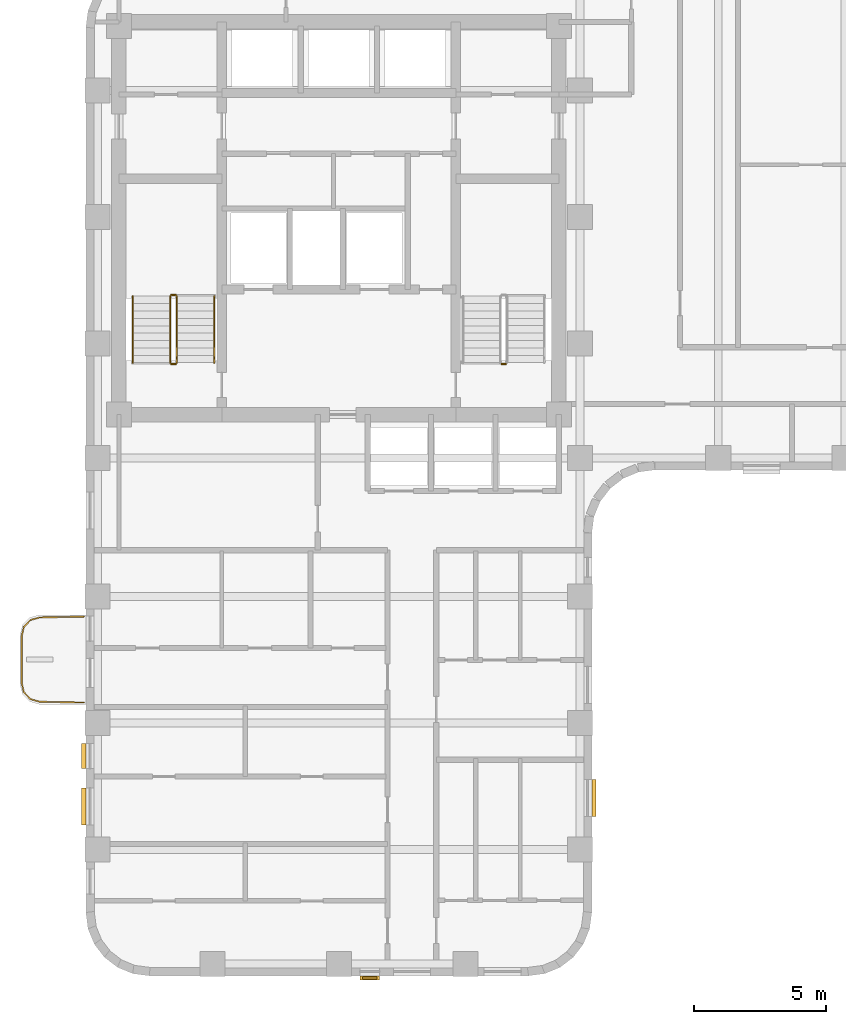
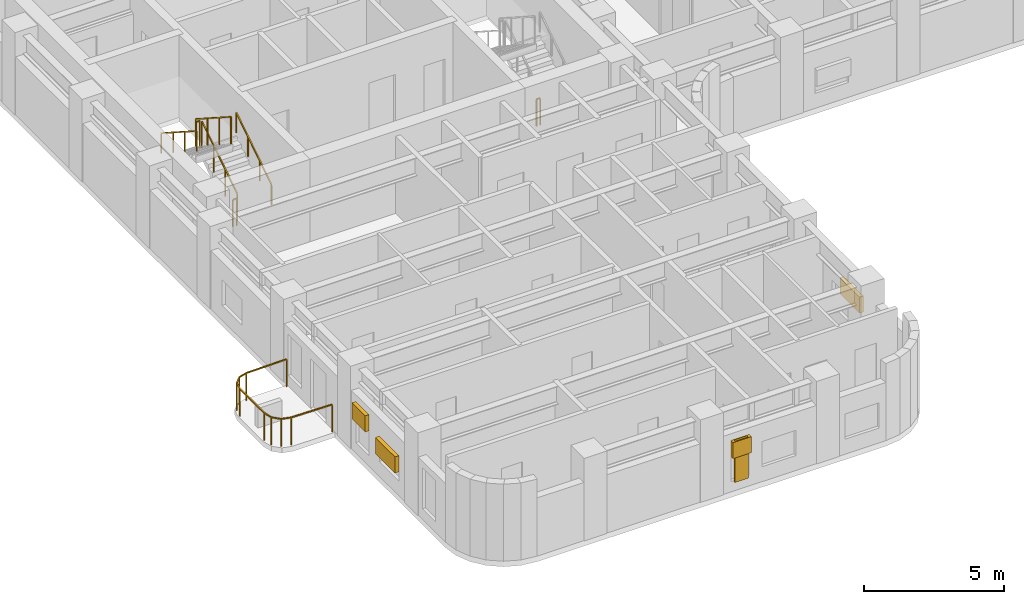
# One storey, part 8 of 10: 8 railings, 5 shading devices.
"""IFC4 building model written with IfcOpenShell, lengths in metres."""

from ifc_helpers import new_model, si_unit, direction, frame, origin, origin_2d, place, context, subcontext, project, spatial, rectangle, extrude, material, type_object, element, save


model = new_model("IFC4")

# Units and contexts
model_context = context("Model", 3, precision=1e-05, world=origin(), true_north=direction((0.0, 1.0)))
body_context = subcontext(model_context, "Body", "Model", "MODEL_VIEW")
ifc_project = project(units=[si_unit("LENGTHUNIT", "METRE"), si_unit("AREAUNIT", "SQUARE_METRE"), si_unit("VOLUMEUNIT", "CUBIC_METRE"), si_unit("PLANEANGLEUNIT", "RADIAN"), si_unit("MASSUNIT", "GRAM", prefix="KILO")], contexts=[model_context])

# Site, building, storey
site_placement = place(None, origin())
site = spatial("IfcSite", under=ifc_project, at=site_placement, CompositionType="ELEMENT")
building_placement = place(site_placement, origin())
building = spatial("IfcBuilding", under=site, at=building_placement, Name="Orvandelia Arch Residences", CompositionType="ELEMENT")
storey_placement = place(building_placement, frame((0.0, 0.0, 132.39990234375)))
storey = spatial("IfcBuildingStorey", under=building, at=storey_placement, Name="L34", CompositionType="ELEMENT", Elevation=132.39990234375)

# Railings
ifc_material_1 = material(Name="Marine-Grade Stainless Steel 316", Category="steel")
railing_type_1 = type_object("IfcRailingType", Name="GRD-BAL-1200", PredefinedType="BALUSTRADE", material=ifc_material_1)
railing_1_placement = place(storey_placement, frame((4.728271484375, 23.23046875, 0.0)))
element("IfcRailing", 1, at=railing_1_placement, inside=storey, type_object=railing_type_1, Name="Safety Balustrade Guard GRD-L34-BAL-L34-W1-1", PredefinedType="BALUSTRADE", context=body_context, shape_type="SweptSolid", body=[
    extrude(rectangle(XDim=0.048095703125, YDim=0.048095703125, at=origin_2d()), frame((0.0, 0.0, 1.19580078125), z_axis=(-0.999834751713, -0.018178813668, 0.0), x_axis=(0.018178813668, -0.999834751713, 0.0)), (0.0, 0.0, 1.0), 1.6787109375),
    extrude(rectangle(XDim=0.048095703125, YDim=0.048095703125, at=origin_2d()), frame((-1.678466796875, -0.030517578125, 1.19580078125), z_axis=(-0.96348920644, -0.267747173792, 0.0), x_axis=(0.267747173792, -0.96348920644, 0.0)), (0.0, 0.0, 1.0), 0.36572265625),
    extrude(rectangle(XDim=0.048095703125, YDim=0.048095703125, at=origin_2d()), frame((-2.03076171875, -0.12841796875, 1.19580078125), z_axis=(-0.688627404251, -0.725115368831, 0.0), x_axis=(0.725115368831, -0.688627404251, 0.0)), (0.0, 0.0, 1.0), 0.367919921875),
    extrude(rectangle(XDim=0.048095703125, YDim=0.048095703125, at=origin_2d()), frame((-2.2841796875, -0.395263671875, 1.19580078125), z_axis=(-0.220461657419, -0.975395641577, 0.0), x_axis=(0.975395641577, -0.220461657419, 0.0)), (0.0, 0.0, 1.0), 0.373291015625),
    extrude(rectangle(XDim=0.048095703125, YDim=0.048095703125, at=origin_2d()), frame((-2.366455078125, -0.75927734375, 1.19580078125), z_axis=(0.0, -1.0, 0.0), x_axis=(1.0, 0.0, 0.0)), (0.0, 0.0, 1.0), 1.742431640625),
    extrude(rectangle(XDim=0.048095703125, YDim=0.048095703125, at=origin_2d()), frame((-2.366455078125, -2.501708984375, 1.19580078125), z_axis=(0.220602419982, -0.975363815352, 0.0), x_axis=(0.975363815352, 0.220602419982, 0.0)), (0.0, 0.0, 1.0), 0.373046875),
    extrude(rectangle(XDim=0.048095703125, YDim=0.048095703125, at=origin_2d()), frame((-2.2841796875, -2.865478515625, 1.19580078125), z_axis=(0.688296224633, -0.725429739642, 0.0), x_axis=(0.725429739642, 0.688296224633, 0.0)), (0.0, 0.0, 1.0), 0.3681640625),
    extrude(rectangle(XDim=0.048095703125, YDim=0.048095703125, at=origin_2d()), frame((-2.03076171875, -3.132568359375, 1.19580078125), z_axis=(0.96348920644, -0.267747173792, 0.0), x_axis=(0.267747173792, 0.96348920644, 0.0)), (0.0, 0.0, 1.0), 0.36572265625),
    extrude(rectangle(XDim=0.048095703125, YDim=0.048095703125, at=origin_2d()), frame((-1.678466796875, -3.23046875, 1.19580078125), z_axis=(0.999834751713, -0.018178813668, 0.0), x_axis=(0.018178813668, 0.999834751713, 0.0)), (0.0, 0.0, 1.0), 1.6787109375),
    extrude(rectangle(XDim=0.0419921875, YDim=0.0419921875, at=origin_2d()), origin(), (0.0, 0.0, 1.0), 1.171875),
    extrude(rectangle(XDim=0.0419921875, YDim=0.0419921875, at=origin_2d()), frame((-1.678466796875, -0.030517578125, 0.0)), (0.0, 0.0, 1.0), 1.171875),
    extrude(rectangle(XDim=0.0419921875, YDim=0.0419921875, at=origin_2d()), frame((-2.03076171875, -0.12841796875, 0.0)), (0.0, 0.0, 1.0), 1.171875),
    extrude(rectangle(XDim=0.0419921875, YDim=0.0419921875, at=origin_2d()), frame((-2.2841796875, -0.395263671875, 0.0)), (0.0, 0.0, 1.0), 1.171875),
    extrude(rectangle(XDim=0.0419921875, YDim=0.0419921875, at=origin_2d()), frame((-2.366455078125, -0.75927734375, 0.0)), (0.0, 0.0, 1.0), 1.171875),
    extrude(rectangle(XDim=0.0419921875, YDim=0.0419921875, at=origin_2d()), frame((-2.366455078125, -2.501708984375, 0.0)), (0.0, 0.0, 1.0), 1.171875),
    extrude(rectangle(XDim=0.0419921875, YDim=0.0419921875, at=origin_2d()), frame((-2.2841796875, -2.865478515625, 0.0)), (0.0, 0.0, 1.0), 1.171875),
    extrude(rectangle(XDim=0.0419921875, YDim=0.0419921875, at=origin_2d()), frame((-2.03076171875, -3.132568359375, 0.0)), (0.0, 0.0, 1.0), 1.171875),
    extrude(rectangle(XDim=0.0419921875, YDim=0.0419921875, at=origin_2d()), frame((-1.678466796875, -3.23046875, 0.0)), (0.0, 0.0, 1.0), 1.171875),
    extrude(rectangle(XDim=0.0419921875, YDim=0.0419921875, at=origin_2d()), frame((0.0, -3.260986328125, 0.0)), (0.0, 0.0, 1.0), 1.171875),
])
ifc_material_2 = material(Name="Brushed Stainless Steel 304", Category="steel")
railing_type_2 = type_object("IfcRailingType", Name="RL-STAIR-GD1120", PredefinedType="GUARDRAIL", material=ifc_material_2)
railing_2_placement = place(storey_placement, frame((8.25, 32.8701171875, 0.18017578125)))
element("IfcRailing", 2, at=railing_2_placement, inside=storey, type_object=railing_type_2, Name="L34 ST-1 stair guard 1", PredefinedType="GUARDRAIL", context=body_context, shape_type="SweptSolid", body=[
    extrude(rectangle(XDim=0.048095703125, YDim=0.048095703125, at=origin_2d()), frame((0.0, 0.0, 1.17578125), z_axis=(0.0, 0.841175827307, 0.540761710511), x_axis=(-1.0, 0.0, 0.0)), (0.0, 0.0, 1.0), 2.99560546875),
    extrude(rectangle(XDim=0.0419921875, YDim=0.0419921875, at=origin_2d()), origin(), (0.0, 0.0, 1.0), 1.15185546875),
    extrude(rectangle(XDim=0.0419921875, YDim=0.0419921875, at=origin_2d()), frame((0.0, 0.83984375, 0.5400390625)), (0.0, 0.0, 1.0), 1.15185546875),
    extrude(rectangle(XDim=0.0419921875, YDim=0.0419921875, at=origin_2d()), frame((0.0, 1.679931640625, 1.079833984375)), (0.0, 0.0, 1.0), 1.15185546875),
    extrude(rectangle(XDim=0.0419921875, YDim=0.0419921875, at=origin_2d()), frame((0.0, 2.519775390625, 1.619873046875)), (0.0, 0.0, 1.0), 1.15185546875),
])
railing_3_placement = place(storey_placement, frame((8.199951171875, 35.43994140625, 1.800048828125)))
element("IfcRailing", 3, at=railing_3_placement, inside=storey, type_object=railing_type_2, Name="L34 ST-1 stair guard 2", PredefinedType="GUARDRAIL", context=body_context, shape_type="SweptSolid", body=[
    extrude(rectangle(XDim=0.048095703125, YDim=0.048095703125, at=origin_2d()), frame((0.0, 0.0, 1.17578125), z_axis=(-1.0, 0.0, 0.0), x_axis=(0.0, -1.0, 0.0)), (0.0, 0.0, 1.0), 0.14990234375),
    extrude(rectangle(XDim=0.0419921875, YDim=0.0419921875, at=origin_2d()), origin(), (0.0, 0.0, 1.0), 1.15185546875),
    extrude(rectangle(XDim=0.0419921875, YDim=0.0419921875, at=origin_2d()), frame((-0.14990234375, 0.0, 0.0)), (0.0, 0.0, 1.0), 1.15185546875),
])
railing_4_placement = place(storey_placement, frame((8.0, 35.389892578125, 1.97998046875)))
element("IfcRailing", 4, at=railing_4_placement, inside=storey, type_object=railing_type_2, Name="L34 ST-1 stair guard 3", PredefinedType="GUARDRAIL", context=body_context, shape_type="SweptSolid", body=[
    extrude(rectangle(XDim=0.048095703125, YDim=0.048095703125, at=origin_2d()), frame((0.0, 0.0, 1.17578125), z_axis=(0.0, -0.841138753965, 0.540819375188), x_axis=(1.0, 0.0, 0.0)), (0.0, 0.0, 1.0), 2.99560546875),
    extrude(rectangle(XDim=0.0419921875, YDim=0.0419921875, at=origin_2d()), origin(), (0.0, 0.0, 1.0), 1.15185546875),
    extrude(rectangle(XDim=0.0419921875, YDim=0.0419921875, at=origin_2d()), frame((0.0, -0.83984375, 0.5400390625)), (0.0, 0.0, 1.0), 1.15185546875),
    extrude(rectangle(XDim=0.0419921875, YDim=0.0419921875, at=origin_2d()), frame((0.0, -1.679931640625, 1.080078125)), (0.0, 0.0, 1.0), 1.15185546875),
    extrude(rectangle(XDim=0.0419921875, YDim=0.0419921875, at=origin_2d()), frame((0.0, -2.519775390625, 1.6201171875)), (0.0, 0.0, 1.0), 1.15185546875),
])
for number, where, name in (
    (5, (8.199951171875, 32.820068359375, 0.0), "L34 ST-1 stair guard 4"),
    (6, (20.72998046875, 32.820068359375, 0.0), "L34 ST-2 stair guard 4"),
):
    element("IfcRailing", number, at=place(storey_placement, frame(where)), inside=storey, type_object=railing_type_2, Name=name, PredefinedType="GUARDRAIL", context=body_context, shape_type="SweptSolid", body=[
        extrude(rectangle(XDim=0.048095703125, YDim=0.048095703125, at=origin_2d()), frame((0.0, 0.0, 1.17578125), z_axis=(-1.0, 0.0, 0.0), x_axis=(0.0, -1.0, 0.0)), (0.0, 0.0, 1.0), 0.14990234375),
        extrude(rectangle(XDim=0.0419921875, YDim=0.0419921875, at=origin_2d()), origin(), (0.0, 0.0, 1.0), 1.15185546875),
        extrude(rectangle(XDim=0.0419921875, YDim=0.0419921875, at=origin_2d()), frame((-0.14990234375, 0.0, 0.0)), (0.0, 0.0, 1.0), 1.15185546875),
    ])
railing_type_3 = type_object("IfcRailingType", Name="RL-STAIR-HR920", PredefinedType="HANDRAIL", material=ifc_material_2)
railing_5_placement = place(storey_placement, frame((9.669921875, 32.8701171875, 0.360107421875)))
element("IfcRailing", 7, at=railing_5_placement, inside=storey, type_object=railing_type_3, Name="L34 ST-1 stair handrail 1", PredefinedType="HANDRAIL", context=body_context, shape_type="SweptSolid", body=[
    extrude(rectangle(XDim=0.048095703125, YDim=0.048095703125, at=origin_2d()), frame((0.0, 0.0, 0.8759765625), z_axis=(0.0, 0.841175827307, 0.540761710511), x_axis=(-1.0, 0.0, 0.0)), (0.0, 0.0, 1.0), 2.99560546875),
    extrude(rectangle(XDim=0.0419921875, YDim=0.0419921875, at=origin_2d()), origin(), (0.0, 0.0, 1.0), 0.851806640625),
    extrude(rectangle(XDim=0.0419921875, YDim=0.0419921875, at=origin_2d()), frame((0.0, 0.83984375, 0.5400390625)), (0.0, 0.0, 1.0), 0.851806640625),
    extrude(rectangle(XDim=0.0419921875, YDim=0.0419921875, at=origin_2d()), frame((0.0, 1.679931640625, 1.079833984375)), (0.0, 0.0, 1.0), 0.851806640625),
    extrude(rectangle(XDim=0.0419921875, YDim=0.0419921875, at=origin_2d()), frame((0.0, 2.519775390625, 1.619873046875)), (0.0, 0.0, 1.0), 0.851806640625),
])
railing_6_placement = place(storey_placement, frame((6.580078125, 35.389892578125, 2.16015625)))
element("IfcRailing", 8, at=railing_6_placement, inside=storey, type_object=railing_type_3, Name="L34 ST-1 stair handrail 2", PredefinedType="HANDRAIL", context=body_context, shape_type="SweptSolid", body=[
    extrude(rectangle(XDim=0.048095703125, YDim=0.048095703125, at=origin_2d()), frame((0.0, 0.0, 0.8759765625), z_axis=(0.0, -0.841175827307, 0.540761710511), x_axis=(1.0, 0.0, 0.0)), (0.0, 0.0, 1.0), 2.99560546875),
    extrude(rectangle(XDim=0.0419921875, YDim=0.0419921875, at=origin_2d()), origin(), (0.0, 0.0, 1.0), 0.851806640625),
    extrude(rectangle(XDim=0.0419921875, YDim=0.0419921875, at=origin_2d()), frame((0.0, -0.83984375, 0.5400390625)), (0.0, 0.0, 1.0), 0.851806640625),
    extrude(rectangle(XDim=0.0419921875, YDim=0.0419921875, at=origin_2d()), frame((0.0, -1.679931640625, 1.079833984375)), (0.0, 0.0, 1.0), 0.851806640625),
    extrude(rectangle(XDim=0.0419921875, YDim=0.0419921875, at=origin_2d()), frame((0.0, -2.519775390625, 1.619873046875)), (0.0, 0.0, 1.0), 0.851806640625),
])

# Shading devices
ifc_material_3 = material(Name="Anodised Champagne-Bronze Extruded Aluminium", Category="aluminium")
shading_device_type_1 = type_object("IfcShadingDeviceType", Name="SHD-JALOUSIE-SCREEN", PredefinedType="JALOUSIE", material=ifc_material_3)
shading_device_1_placement = place(storey_placement, frame((24.080078125, 16.347412109375, 1.05029296875), z_axis=(0.0, 0.0, 1.0), x_axis=(0.0, -1.0, 0.0)))
element("IfcShadingDevice", 9, at=shading_device_1_placement, inside=storey, type_object=shading_device_type_1, Name="Bronze Jalousie Sun-Shade L34-005", PredefinedType="JALOUSIE", context=body_context, shape_type="SweptSolid", body=[
    extrude(rectangle(XDim=1.39990234375, YDim=0.159912109375, at=origin_2d()), origin(), (0.0, 0.0, 1.0), 0.699951171875),
])
shading_device_2_placement = place(storey_placement, frame((15.572509765625, 9.52001953125, 1.55029296875), z_axis=(0.0, 0.0, 1.0), x_axis=(-1.0, 0.0, 0.0)))
element("IfcShadingDevice", 10, at=shading_device_2_placement, inside=storey, type_object=shading_device_type_1, Name="Bronze Jalousie Sun-Shade L34-006", PredefinedType="JALOUSIE", context=body_context, shape_type="SweptSolid", body=[
    extrude(rectangle(XDim=0.75, YDim=0.159912109375, at=origin_2d()), origin(), (0.0, 0.0, 1.0), 0.699951171875),
])
shading_device_3_placement = place(storey_placement, frame((4.719970703125, 16.027587890625, 1.05029296875), z_axis=(0.0, 0.0, 1.0), x_axis=(0.0, 1.0, 0.0)))
element("IfcShadingDevice", 11, at=shading_device_3_placement, inside=storey, type_object=shading_device_type_1, Name="Bronze Jalousie Sun-Shade L34-007", PredefinedType="JALOUSIE", context=body_context, shape_type="SweptSolid", body=[
    extrude(rectangle(XDim=1.39990234375, YDim=0.159912109375, at=origin_2d()), origin(), (0.0, 0.0, 1.0), 0.699951171875),
])
shading_device_4_placement = place(storey_placement, frame((4.719970703125, 17.9326171875, 1.55029296875), z_axis=(0.0, 0.0, 1.0), x_axis=(0.0, 1.0, 0.0)))
element("IfcShadingDevice", 12, at=shading_device_4_placement, inside=storey, type_object=shading_device_type_1, Name="Bronze Jalousie Sun-Shade L34-008", PredefinedType="JALOUSIE", context=body_context, shape_type="SweptSolid", body=[
    extrude(rectangle(XDim=0.949951171875, YDim=0.159912109375, at=origin_2d()), origin(), (0.0, 0.0, 1.0), 0.699951171875),
])
ifc_material_4 = material(Name="Marine-Grade Perforated Aluminium Storm Shutter", Category="aluminium")
shading_device_type_2 = type_object("IfcShadingDeviceType", Name="SHD-STORM-SHUTTER", PredefinedType="SHUTTER", material=ifc_material_4)
shading_device_5_placement = place(storey_placement, frame((15.572509765625, 9.52001953125, 0.4501953125), z_axis=(0.0, 0.0, 1.0), x_axis=(-1.0, 0.0, 0.0)))
element("IfcShadingDevice", 13, at=shading_device_5_placement, inside=storey, type_object=shading_device_type_2, Name="Operable Typhoon Storm Shutter L34-006", PredefinedType="SHUTTER", context=body_context, shape_type="SweptSolid", body=[
    extrude(rectangle(XDim=0.550048828125, YDim=0.080078125, at=origin_2d()), origin(), (0.0, 0.0, 1.0), 1.800048828125),
])

save(model, "model.ifc")
